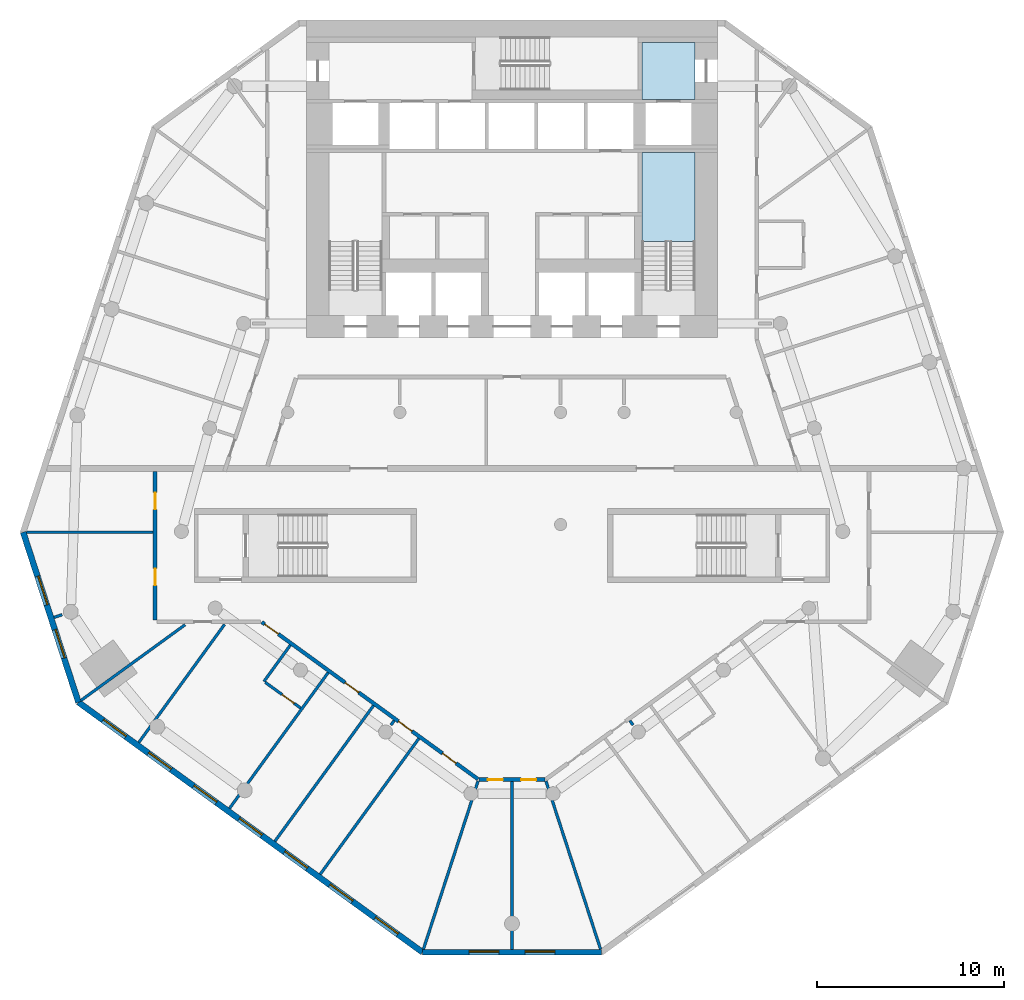
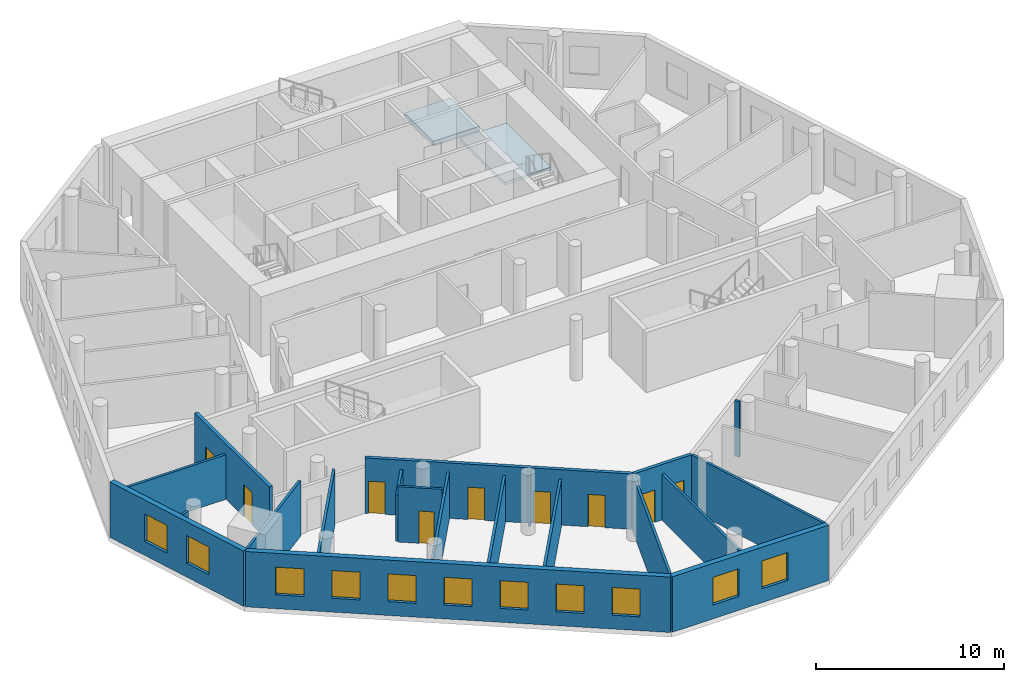
# One storey, part 2 of 9: 20 walls, 11 windows, 9 doors, 2 slabs, 20 openings, 1 element without a shape of its own.
"""IFC4 building model written with IfcOpenShell, lengths in metres."""

import ifcopenshell
import ifcopenshell.guid

model = None  # the IFC model being written
_history = None  # IfcOwnerHistory: only IFC2X3 demands one
_inside = {}  # id of a spatial element -> (the spatial element, [elements in it])
_under = {}  # id of a project, library or spatial element -> (it, [spatial elements below it])
_declared = {}  # id of a project -> (the project, [libraries it declares])
_typed = {}  # id of a type object -> (the type object, [elements of that type])
_made_of = {}  # id of a material, layer set ... -> (it, [elements and type objects made of it])


def new_model(schema):
    """Start an empty IFC model of exactly this schema.

    Asked for "IFC4X3", IfcOpenShell would pick the latest addendum, in which some entities
    have other attributes; the version numbers below select the first issue.
    IFC2X3 requires an IfcOwnerHistory on every rooted entity: one is made here for all.
    """
    global model, _history
    if schema == "IFC4X3":
        model = ifcopenshell.file(schema_version=(4, 3, 0, 0))
    else:
        model = ifcopenshell.file(schema=schema)
    _inside.clear()
    _under.clear()
    _declared.clear()
    _typed.clear()
    _made_of.clear()
    _history = None
    if model.schema == "IFC2X3":
        org = make("IfcOrganization", Name="unknown")
        user = make(
            "IfcPersonAndOrganization",
            ThePerson=make("IfcPerson", FamilyName="unknown"),
            TheOrganization=org,
        )
        app = make(
            "IfcApplication",
            ApplicationDeveloper=org,
            Version="unknown",
            ApplicationFullName="unknown",
            ApplicationIdentifier="unknown",
        )
        _history = make(
            "IfcOwnerHistory",
            OwningUser=user,
            OwningApplication=app,
            ChangeAction="ADDED",
            CreationDate=0,
        )
    return model


def make(cls, **values):
    """One entity of the class cls with the attributes given. An attribute that is None is left unset."""
    return model.create_entity(
        cls, **{name: value for name, value in values.items() if value is not None}
    )


def rooted(cls, **values):
    """An entity with a GlobalId (a new one), such as an element, a storey or a relation."""
    return make(cls, GlobalId=ifcopenshell.guid.new(), OwnerHistory=_history, **values)


def si_unit(unit_type, name, prefix=None):
    """IfcSIUnit, for example si_unit("LENGTHUNIT", "METRE", prefix="MILLI")."""
    return make("IfcSIUnit", UnitType=unit_type, Prefix=prefix, Name=name)


def assignment(units):
    """IfcUnitAssignment: the units of a project."""
    return None if units is None else make("IfcUnitAssignment", Units=units)


def point(xyz):
    """IfcCartesianPoint."""
    return None if xyz is None else make("IfcCartesianPoint", Coordinates=xyz)


def direction(xyz):
    """IfcDirection."""
    return None if xyz is None else make("IfcDirection", DirectionRatios=xyz)


def frame(location, z_axis=None, x_axis=None):
    """IfcAxis2Placement3D, a coordinate frame: its origin and axes. An axis left out is left unset."""
    return make(
        "IfcAxis2Placement3D",
        Location=point(location),
        Axis=direction(z_axis),
        RefDirection=direction(x_axis),
    )


def frame_2d(location, x_axis=None):
    """IfcAxis2Placement2D, a coordinate frame in the plane: its origin and x axis."""
    return make(
        "IfcAxis2Placement2D", Location=point(location), RefDirection=direction(x_axis)
    )


def origin():
    """The frame at (0, 0, 0) with its axes left unset."""
    return frame((0.0, 0.0, 0.0))


def place(relative_to, where):
    """IfcLocalPlacement: puts the frame where relative to a parent placement (None: the world)."""
    return make(
        "IfcLocalPlacement", PlacementRelTo=relative_to, RelativePlacement=where
    )


def context(
    kind, dimensions, precision=None, world=None, true_north=None, identifier=None
):
    """IfcGeometricRepresentationContext, for example the 3D "Model" context."""
    return make(
        "IfcGeometricRepresentationContext",
        ContextIdentifier=identifier,
        ContextType=kind,
        CoordinateSpaceDimension=dimensions,
        Precision=precision,
        WorldCoordinateSystem=world,
        TrueNorth=true_north,
    )


def subcontext(parent, identifier, kind, view, scale=None):
    """IfcGeometricRepresentationSubContext, for example "Body" below "Model"."""
    return make(
        "IfcGeometricRepresentationSubContext",
        ContextIdentifier=identifier,
        ContextType=kind,
        ParentContext=parent,
        TargetScale=scale,
        TargetView=view,
    )


def project(units=None, contexts=None):
    """IfcProject with its units and contexts."""
    return rooted(
        "IfcProject",
        Name="project",
        RepresentationContexts=contexts,
        UnitsInContext=assignment(units),
    )


def spatial(cls, under=None, at=None, **own):
    """A site, building, storey or space (cls), placed at a placement, below another one or the project."""
    s = rooted(cls, ObjectPlacement=at, **own)
    if under is not None:
        _under.setdefault(under.id(), (under, []))[1].append(s)
    return s


def polyline(points):
    """IfcPolyline through the points."""
    return make("IfcPolyline", Points=[point(p) for p in points])


def profile(cls, at=None, kind="AREA", **sizes):
    """A parametric profile (cls). Its sizes go by their IFC names, for example OverallWidth=200.0."""
    return make(cls, ProfileType=kind, Position=at, **sizes)


def rectangle(**sizes):
    """IfcRectangleProfileDef."""
    return profile("IfcRectangleProfileDef", **sizes)


def outline(outer, holes=None, kind="AREA"):
    """IfcArbitraryClosedProfileDef: a profile drawn as a closed curve; with holes, ...WithVoids."""
    if holes is None:
        return make("IfcArbitraryClosedProfileDef", ProfileType=kind, OuterCurve=outer)
    return make(
        "IfcArbitraryProfileDefWithVoids",
        ProfileType=kind,
        OuterCurve=outer,
        InnerCurves=holes,
    )


def extrude(swept, where, along, depth):
    """IfcExtrudedAreaSolid: the profile swept, set in the frame where, extruded along a direction by depth."""
    return make(
        "IfcExtrudedAreaSolid",
        SweptArea=swept,
        Position=where,
        ExtrudedDirection=direction(along),
        Depth=depth,
    )


def shape(context_of_items, identifier, shape_type, items):
    """IfcShapeRepresentation: the items that make up one representation, for example the "Body"."""
    return make(
        "IfcShapeRepresentation",
        ContextOfItems=context_of_items,
        RepresentationIdentifier=identifier,
        RepresentationType=shape_type,
        Items=items,
    )


def material(Name=None, Category=None):
    """IfcMaterial."""
    return make("IfcMaterial", Name=Name, Category=Category)


def layer(
    of_material, thickness, ventilated=None, Name=None, Category=None, Priority=None
):
    """IfcMaterialLayer: one layer of a wall or slab, of a material (None: an air gap)."""
    return make(
        "IfcMaterialLayer",
        Material=of_material,
        LayerThickness=thickness,
        IsVentilated=ventilated,
        Name=Name,
        Category=Category,
        Priority=Priority,
    )


def layer_set(layers, Name=None):
    """IfcMaterialLayerSet."""
    return make("IfcMaterialLayerSet", MaterialLayers=layers, LayerSetName=Name)


def made_of(thing, what):
    """Note that an element or type object is made of a material, layer set ...; save() writes the relation."""
    if what is not None:
        _made_of.setdefault(what.id(), (what, []))[1].append(thing)
    return thing


def type_object(cls, material=None, **own):
    """A type object (cls), such as IfcWallType, which elements share."""
    return made_of(rooted(cls, **own), material)


def element(
    cls,
    number,
    at=None,
    inside=None,
    cuts=None,
    type_object=None,
    material=None,
    context=None,
    identifier="Body",
    shape_type=None,
    held_by="IfcProductDefinitionShape",
    body=None,
    shapes=None,
    **own,
):
    """One element of the class cls, such as IfcWall. Its Tag is "e" and its number.

    at: its placement. inside: the storey or other place that contains it. cuts: it is an
    opening in that element (IfcRelVoidsElement). A single representation is given by context,
    identifier, shape_type and body (its items); several are given by shapes. held_by: the class
    of the entity that holds the representations. save() writes the other relations.
    """
    e = rooted(cls, Tag="e%d" % number, ObjectPlacement=at, **own)
    if body is not None:
        shapes = [shape(context, identifier, shape_type, body)]
    if shapes is not None:
        e.Representation = make(held_by, Representations=shapes)
    if inside is not None:
        _inside.setdefault(inside.id(), (inside, []))[1].append(e)
    if cuts is not None:
        rooted(
            "IfcRelVoidsElement", RelatingBuildingElement=cuts, RelatedOpeningElement=e
        )
    if type_object is not None:
        _typed.setdefault(type_object.id(), (type_object, []))[1].append(e)
    return made_of(e, material)


def fill(opening, filler):
    """IfcRelFillsElement: the door or window that sits in an opening."""
    return rooted(
        "IfcRelFillsElement",
        RelatingOpeningElement=opening,
        RelatedBuildingElement=filler,
    )


def aggregate(whole, parts):
    """IfcRelAggregates: a whole, such as a stair, and the parts it consists of."""
    return rooted("IfcRelAggregates", RelatingObject=whole, RelatedObjects=parts)


def save(model, path):
    """Write the relations noted so far, then the file.

    IfcRelAggregates (storeys below a building ...), IfcRelContainedInSpatialStructure (elements
    in a storey), IfcRelDefinesByType, IfcRelAssociatesMaterial and IfcRelDeclares: one each for
    every whole, place, type object, material and project.
    """
    for whole, parts in _under.values():
        aggregate(whole, parts)
    for where, things in _inside.values():
        rooted(
            "IfcRelContainedInSpatialStructure",
            RelatedElements=things,
            RelatingStructure=where,
        )
    for kind, things in _typed.values():
        rooted("IfcRelDefinesByType", RelatedObjects=things, RelatingType=kind)
    for what, things in _made_of.values():
        rooted("IfcRelAssociatesMaterial", RelatedObjects=things, RelatingMaterial=what)
    for by, libraries in _declared.values():
        rooted("IfcRelDeclares", RelatingContext=by, RelatedDefinitions=libraries)
    model.write(path)


model = new_model("IFC4")

# Units and contexts
model_context = context("Model", 3, precision=1e-05, world=origin(), true_north=direction((0.0, 1.0)))
body_context = subcontext(model_context, "Body", "Model", "MODEL_VIEW")
ifc_project = project(units=[si_unit("LENGTHUNIT", "METRE"), si_unit("AREAUNIT", "SQUARE_METRE"), si_unit("VOLUMEUNIT", "CUBIC_METRE"), si_unit("PLANEANGLEUNIT", "RADIAN"), si_unit("MASSUNIT", "GRAM", prefix="KILO")], contexts=[model_context])

# Site, building, storey
site_placement = place(None, origin())
site = spatial("IfcSite", under=ifc_project, at=site_placement, CompositionType="ELEMENT")
building_placement = place(site_placement, origin())
building = spatial("IfcBuilding", under=site, at=building_placement, Name="White Candle Pilgrim Tower", CompositionType="ELEMENT")
storey_placement = place(building_placement, frame((0.0, 0.0, 46.800048828125)))
storey = spatial("IfcBuildingStorey", under=building, at=storey_placement, Name="L08", CompositionType="ELEMENT", Elevation=46.800048828125)

# Slab
ifc_material_1 = material(Name="Concrete C40/50", Category="concrete")
ifc_layer_1 = layer(ifc_material_1, 0.300048828125)
ifc_layer_set_1 = layer_set([ifc_layer_1], Name="Core floor slab 300 mm Concrete C40/50")
slab_type_1 = type_object("IfcSlabType", Name="Core floor slab 300 mm Concrete C40/50", PredefinedType="FLOOR", material=ifc_layer_set_1)
slab_1_placement = place(storey_placement, frame((0.0, 0.0, -0.300048828125)))
element("IfcSlab", 1, at=slab_1_placement, inside=storey, type_object=slab_type_1, Name="CF-L08-06", PredefinedType="FLOOR", context=body_context, shape_type="SweptSolid", body=[
    extrude(outline(polyline([(79.800048828125, 86.800048828125), (79.800048828125, 83.75), (76.949951171875, 83.75), (76.949951171875, 84.25), (76.949951171875, 86.800048828125), (79.800048828125, 86.800048828125)])), origin(), (0.0, 0.0, 1.0), 0.300048828125),
])

# Stair, slab
stair_type = type_object("IfcStairType", Name="Exit stair 2 flight width 1350 mm", PredefinedType="HALF_TURN_STAIR", material=ifc_material_1)
stair_placement = place(storey_placement, origin())
stair = element("IfcStair", 2, at=stair_placement, inside=storey, type_object=stair_type, Name="L08 stair 2", PredefinedType="NOTDEFINED")
ifc_layer_2 = layer(ifc_material_1, 0.199951171875)
ifc_layer_set_2 = layer_set([ifc_layer_2], Name="Stair landing Concrete C40/50")
slab_type_2 = type_object("IfcSlabType", Name="Stair landing Concrete C40/50", PredefinedType="LANDING", material=ifc_layer_set_2)
slab_2_placement = place(storey_placement, frame((0.0, 0.0, 1.75)))
slab_2 = element("IfcSlab", 3, at=slab_2_placement, type_object=slab_type_2, Name="ST2 landing 1", PredefinedType="LANDING", context=body_context, shape_type="SweptSolid", body=[
    extrude(outline(polyline([(79.802001953125, 76.14794921875), (76.947998046875, 76.14794921875), (76.947998046875, 80.902099609375), (79.802001953125, 80.902099609375), (79.802001953125, 76.14794921875)])), origin(), (0.0, 0.0, 1.0), 0.199951171875),
])
aggregate(stair, [slab_2])

# Wall, openings, doors
ifc_material_2 = material(Name="Gypsum board on steel studs", Category="steel")
ifc_layer_3 = layer(ifc_material_2, 0.199951171875)
ifc_layer_set_3 = layer_set([ifc_layer_3], Name="Corridor wall 200 mm EI 45")
wall_type_1 = type_object("IfcWallType", Name="Corridor wall 200 mm EI 45", PredefinedType="PARTITIONING", material=ifc_layer_set_3)
wall_1_placement = place(storey_placement, frame((71.7568359375, 47.354736328125, 0.0), z_axis=(0.0, 0.0, 1.0), x_axis=(-1.0, 0.0, 0.0)))
wall_1 = element("IfcWall", 4, at=wall_1_placement, inside=storey, type_object=wall_type_1, Name="WL-L08-P009", PredefinedType="PARTITIONING", context=body_context, shape_type="SweptSolid", body=[
    extrude(rectangle(XDim=3.513671875, YDim=0.199951171875, at=frame_2d((1.7568359375, 0.0))), origin(), (0.0, 0.0, 1.0), 3.599853515625),
])
opening_1_placement = place(wall_1_placement, frame((2.251708984375, 0.0, 0.0)))
opening_1 = element("IfcOpeningElement", 5, at=opening_1_placement, cuts=wall_1, Name="Opening T02-108", PredefinedType="OPENING", context=body_context, shape_type="SweptSolid", body=[
    extrude(rectangle(XDim=0.800048828125, YDim=2.10009765625, at=frame_2d((0.39990234375, 1.050048828125))), frame((0.0, 0.10986328125, 0.0), z_axis=(0.0, -1.0, 0.0), x_axis=(1.0, 0.0, 0.0)), (0.0, 0.0, 1.0), 0.219970703125),
])
opening_2_placement = place(wall_1_placement, frame((0.462158203125, 0.0, 0.0)))
opening_2 = element("IfcOpeningElement", 6, at=opening_2_placement, cuts=wall_1, Name="Opening T02-109", PredefinedType="OPENING", context=body_context, shape_type="SweptSolid", body=[
    extrude(rectangle(XDim=0.800048828125, YDim=2.10009765625, at=frame_2d((0.39990234375, 1.050048828125))), frame((0.0, 0.10986328125, 0.0), z_axis=(0.0, -1.0, 0.0), x_axis=(1.0, 0.0, 0.0)), (0.0, 0.0, 1.0), 0.219970703125),
])
ifc_material_3 = material(Name="Steel door leaf", Category="steel")
door_type_1 = type_object("IfcDoorType", Name="Fire door 800 x 2100 EI 30", OperationType="NOTDEFINED", PredefinedType="DOOR", material=ifc_material_3)
door_1_placement = place(opening_1_placement, origin())
door_1 = element("IfcDoor", 7, at=door_1_placement, inside=storey, type_object=door_type_1, Name="Door T02-108", OperationType="SINGLE_SWING_RIGHT", OverallHeight=2.10009765625, OverallWidth=0.800048828125, PredefinedType="DOOR", context=body_context, shape_type="SweptSolid", body=[
    extrude(rectangle(XDim=0.800048828125, YDim=2.10009765625, at=frame_2d((0.39990234375, 1.050048828125))), frame((0.0, 0.02490234375, 0.0), z_axis=(0.0, -1.0, 0.0), x_axis=(1.0, 0.0, 0.0)), (0.0, 0.0, 1.0), 0.050048828125),
])
fill(opening_1, door_1)
door_2_placement = place(opening_2_placement, origin())
door_2 = element("IfcDoor", 8, at=door_2_placement, inside=storey, type_object=door_type_1, Name="Door T02-109", OperationType="SINGLE_SWING_LEFT", OverallHeight=2.10009765625, OverallWidth=0.800048828125, PredefinedType="DOOR", context=body_context, shape_type="SweptSolid", body=[
    extrude(rectangle(XDim=0.800048828125, YDim=2.10009765625, at=frame_2d((0.39990234375, 1.050048828125))), frame((0.0, 0.02490234375, 0.0), z_axis=(0.0, -1.0, 0.0), x_axis=(1.0, 0.0, 0.0)), (0.0, 0.0, 1.0), 0.050048828125),
])
fill(opening_2, door_2)

wall_2_placement = place(storey_placement, frame((68.184326171875, 47.373779296875, 0.0), z_axis=(0.0, 0.0, 1.0), x_axis=(-0.809010579214, 0.587794081902, 0.0)))
wall_2 = element("IfcWall", 9, at=wall_2_placement, inside=storey, type_object=wall_type_1, Name="WL-L08-P010", PredefinedType="PARTITIONING", context=body_context, shape_type="SweptSolid", body=[
    extrude(rectangle(XDim=14.302978515625, YDim=0.199951171875, at=frame_2d((7.1513671875, 0.0))), origin(), (0.0, 0.0, 1.0), 3.599853515625),
])
opening_3_placement = place(wall_2_placement, frame((13.215576171875, 0.0, 0.0)))
opening_3 = element("IfcOpeningElement", 10, at=opening_3_placement, cuts=wall_2, Name="Opening T02-104", PredefinedType="OPENING", context=body_context, shape_type="SweptSolid", body=[
    extrude(rectangle(XDim=0.89990234375, YDim=2.10009765625, at=frame_2d((0.449951171875, 1.050048828125))), frame((0.0, 0.10986328125, 0.0), z_axis=(0.0, -1.0, 0.0), x_axis=(1.0, 0.0, 0.0)), (0.0, 0.0, 1.0), 0.219970703125),
])
opening_4_placement = place(wall_2_placement, frame((7.8935546875, 0.0, 0.0)))
opening_4 = element("IfcOpeningElement", 11, at=opening_4_placement, cuts=wall_2, Name="Opening T02-105", PredefinedType="OPENING", context=body_context, shape_type="SweptSolid", body=[
    extrude(rectangle(XDim=0.89990234375, YDim=2.10009765625, at=frame_2d((0.449951171875, 1.050048828125))), frame((0.0, 0.10986328125, 0.0), z_axis=(0.0, -1.0, 0.0), x_axis=(1.0, 0.0, 0.0)), (0.0, 0.0, 1.0), 0.219970703125),
])
opening_5_placement = place(wall_2_placement, frame((4.36865234375, 0.0, 0.0)))
opening_5 = element("IfcOpeningElement", 12, at=opening_5_placement, cuts=wall_2, Name="Opening T02-106", PredefinedType="OPENING", context=body_context, shape_type="SweptSolid", body=[
    extrude(rectangle(XDim=0.89990234375, YDim=2.10009765625, at=frame_2d((0.449951171875, 1.050048828125))), frame((0.0, 0.10986328125, 0.0), z_axis=(0.0, -1.0, 0.0), x_axis=(1.0, 0.0, 0.0)), (0.0, 0.0, 1.0), 0.219970703125),
])
opening_6_placement = place(wall_2_placement, frame((1.45556640625, 0.0, 0.0)))
opening_6 = element("IfcOpeningElement", 13, at=opening_6_placement, cuts=wall_2, Name="Opening T02-107", PredefinedType="OPENING", context=body_context, shape_type="SweptSolid", body=[
    extrude(rectangle(XDim=0.89990234375, YDim=2.10009765625, at=frame_2d((0.449951171875, 1.050048828125))), frame((0.0, 0.10986328125, 0.0), z_axis=(0.0, -1.0, 0.0), x_axis=(1.0, 0.0, 0.0)), (0.0, 0.0, 1.0), 0.219970703125),
])
door_type_2 = type_object("IfcDoorType", Name="Fire door 900 x 2100 EI 30", OperationType="NOTDEFINED", PredefinedType="DOOR", material=ifc_material_3)
door_3_placement = place(opening_3_placement, origin())
door_3 = element("IfcDoor", 14, at=door_3_placement, inside=storey, type_object=door_type_2, Name="Door T02-104", OperationType="SINGLE_SWING_RIGHT", OverallHeight=2.10009765625, OverallWidth=0.89990234375, PredefinedType="DOOR", context=body_context, shape_type="SweptSolid", body=[
    extrude(rectangle(XDim=0.89990234375, YDim=2.10009765625, at=frame_2d((0.449951171875, 1.050048828125))), frame((0.0, 0.02490234375, 0.0), z_axis=(0.0, -1.0, 0.0), x_axis=(1.0, 0.0, 0.0)), (0.0, 0.0, 1.0), 0.050048828125),
])
fill(opening_3, door_3)
door_4_placement = place(opening_4_placement, origin())
door_4 = element("IfcDoor", 15, at=door_4_placement, inside=storey, type_object=door_type_2, Name="Door T02-105", OperationType="SINGLE_SWING_LEFT", OverallHeight=2.10009765625, OverallWidth=0.89990234375, PredefinedType="DOOR", context=body_context, shape_type="SweptSolid", body=[
    extrude(rectangle(XDim=0.89990234375, YDim=2.10009765625, at=frame_2d((0.449951171875, 1.050048828125))), frame((0.0, 0.02490234375, 0.0), z_axis=(0.0, -1.0, 0.0), x_axis=(1.0, 0.0, 0.0)), (0.0, 0.0, 1.0), 0.050048828125),
])
fill(opening_4, door_4)
door_5_placement = place(opening_5_placement, origin())
door_5 = element("IfcDoor", 16, at=door_5_placement, inside=storey, type_object=door_type_2, Name="Door T02-106", OperationType="SINGLE_SWING_LEFT", OverallHeight=2.10009765625, OverallWidth=0.89990234375, PredefinedType="DOOR", context=body_context, shape_type="SweptSolid", body=[
    extrude(rectangle(XDim=0.89990234375, YDim=2.10009765625, at=frame_2d((0.449951171875, 1.050048828125))), frame((0.0, 0.02490234375, 0.0), z_axis=(0.0, -1.0, 0.0), x_axis=(1.0, 0.0, 0.0)), (0.0, 0.0, 1.0), 0.050048828125),
])
fill(opening_5, door_5)
door_6_placement = place(opening_6_placement, origin())
door_6 = element("IfcDoor", 17, at=door_6_placement, inside=storey, type_object=door_type_2, Name="Door T02-107", OperationType="SINGLE_SWING_LEFT", OverallHeight=2.10009765625, OverallWidth=0.89990234375, PredefinedType="DOOR", context=body_context, shape_type="SweptSolid", body=[
    extrude(rectangle(XDim=0.89990234375, YDim=2.10009765625, at=frame_2d((0.449951171875, 1.050048828125))), frame((0.0, 0.02490234375, 0.0), z_axis=(0.0, -1.0, 0.0), x_axis=(1.0, 0.0, 0.0)), (0.0, 0.0, 1.0), 0.050048828125),
])
fill(opening_6, door_6)

wall_3_placement = place(storey_placement, frame((50.89990234375, 55.89990234375, 0.0), z_axis=(0.0, 0.0, 1.0), x_axis=(0.0, 1.0, 0.0)))
wall_3 = element("IfcWall", 18, at=wall_3_placement, inside=storey, type_object=wall_type_1, Name="WL-L08-P012", PredefinedType="PARTITIONING", context=body_context, shape_type="SweptSolid", body=[
    extrude(rectangle(XDim=7.9501953125, YDim=0.199951171875, at=frame_2d((3.97509765625, 0.0))), origin(), (0.0, 0.0, 1.0), 3.599853515625),
])
opening_7_placement = place(wall_3_placement, frame((1.845703125, 0.0, 0.0)))
opening_7 = element("IfcOpeningElement", 19, at=opening_7_placement, cuts=wall_3, Name="Opening T02-101", PredefinedType="OPENING", context=body_context, shape_type="SweptSolid", body=[
    extrude(rectangle(XDim=0.89990234375, YDim=2.10009765625, at=frame_2d((0.449951171875, 1.050048828125))), frame((0.0, 0.10986328125, 0.0), z_axis=(0.0, -1.0, 0.0), x_axis=(1.0, 0.0, 0.0)), (0.0, 0.0, 1.0), 0.219970703125),
])
opening_8_placement = place(wall_3_placement, frame((5.908203125, 0.0, 0.0)))
opening_8 = element("IfcOpeningElement", 20, at=opening_8_placement, cuts=wall_3, Name="Opening T02-119", PredefinedType="OPENING", context=body_context, shape_type="SweptSolid", body=[
    extrude(rectangle(XDim=0.89990234375, YDim=2.10009765625, at=frame_2d((0.449951171875, 1.050048828125))), frame((0.0, 0.10986328125, 0.0), z_axis=(0.0, -1.0, 0.0), x_axis=(1.0, 0.0, 0.0)), (0.0, 0.0, 1.0), 0.219970703125),
])
door_7_placement = place(opening_7_placement, origin())
door_7 = element("IfcDoor", 21, at=door_7_placement, inside=storey, type_object=door_type_2, Name="Door T02-101", OperationType="SINGLE_SWING_LEFT", OverallHeight=2.10009765625, OverallWidth=0.89990234375, PredefinedType="DOOR", context=body_context, shape_type="SweptSolid", body=[
    extrude(rectangle(XDim=0.89990234375, YDim=2.10009765625, at=frame_2d((0.449951171875, 1.050048828125))), frame((0.0, 0.02490234375, 0.0), z_axis=(0.0, -1.0, 0.0), x_axis=(1.0, 0.0, 0.0)), (0.0, 0.0, 1.0), 0.050048828125),
])
fill(opening_7, door_7)
door_8_placement = place(opening_8_placement, origin())
door_8 = element("IfcDoor", 22, at=door_8_placement, inside=storey, type_object=door_type_2, Name="Door T02-119", OperationType="SINGLE_SWING_LEFT", OverallHeight=2.10009765625, OverallWidth=0.89990234375, PredefinedType="DOOR", context=body_context, shape_type="SweptSolid", body=[
    extrude(rectangle(XDim=0.89990234375, YDim=2.10009765625, at=frame_2d((0.449951171875, 1.050048828125))), frame((0.0, 0.02490234375, 0.0), z_axis=(0.0, -1.0, 0.0), x_axis=(1.0, 0.0, 0.0)), (0.0, 0.0, 1.0), 0.050048828125),
])
fill(opening_8, door_8)

# Wall, openings, windows
ifc_material_4 = material(Name="Precast concrete C40/50", Category="concrete")
ifc_layer_4 = layer(ifc_material_4, 0.320068359375)
ifc_layer_set_4 = layer_set([ifc_layer_4], Name="Facade wall EW1 precast concrete C40/50 pier wall with timber-lined reveals")
wall_type_2 = type_object("IfcWallType", Name="Facade wall EW1 precast concrete C40/50 pier wall with timber-lined reveals", PredefinedType="SOLIDWALL", material=ifc_layer_set_4)
wall_4_placement = place(storey_placement, frame((43.8408203125, 60.59130859375, 0.0), z_axis=(0.0, 0.0, 1.0), x_axis=(0.309023765379, -0.951054316236, 0.0)))
wall_4 = element("IfcWall", 23, at=wall_4_placement, inside=storey, type_object=wall_type_2, Name="Facade wall L08 W chamfer", PredefinedType="SOLIDWALL", context=body_context, shape_type="SweptSolid", body=[
    extrude(rectangle(XDim=9.56884765625, YDim=0.320068359375, at=frame_2d((4.784423828125, 0.0))), origin(), (0.0, 0.0, 1.0), 3.599853515625),
])
opening_9_placement = place(wall_4_placement, frame((2.484375, 0.0, 0.89990234375)))
opening_9 = element("IfcOpeningElement", 24, at=opening_9_placement, cuts=wall_4, Name="Opening W2", PredefinedType="OPENING", context=body_context, shape_type="SweptSolid", body=[
    extrude(rectangle(XDim=1.60009765625, YDim=1.800048828125, at=frame_2d((0.800048828125, 0.89990234375))), frame((0.0, 0.169921875, 0.0), z_axis=(0.0, -1.0, 0.0), x_axis=(1.0, 0.0, 0.0)), (0.0, 0.0, 1.0), 0.340087890625),
])
opening_10_placement = place(wall_4_placement, frame((5.484375, 0.0, 0.89990234375)))
opening_10 = element("IfcOpeningElement", 25, at=opening_10_placement, cuts=wall_4, Name="Opening W2", PredefinedType="OPENING", context=body_context, shape_type="SweptSolid", body=[
    extrude(rectangle(XDim=1.60009765625, YDim=1.800048828125, at=frame_2d((0.800048828125, 0.89990234375))), frame((0.0, 0.169921875, 0.0), z_axis=(0.0, -1.0, 0.0), x_axis=(1.0, 0.0, 0.0)), (0.0, 0.0, 1.0), 0.340087890625),
])
ifc_material_5 = material(Name="Timber frame with triple glazing", Category="wood")
window_type_1 = type_object("IfcWindowType", Name="Window W2 1600x1800 timber frame triple glazing", PartitioningType="SINGLE_PANEL", PredefinedType="WINDOW", material=ifc_material_5)
window_1_placement = place(opening_9_placement, origin())
window_1 = element("IfcWindow", 26, at=window_1_placement, inside=storey, type_object=window_type_1, Name="Window W2 L08 W chamfer 1", OverallHeight=1.800048828125, OverallWidth=1.60009765625, PartitioningType="SINGLE_PANEL", PredefinedType="WINDOW", context=body_context, shape_type="SweptSolid", body=[
    extrude(rectangle(XDim=1.60009765625, YDim=1.800048828125, at=frame_2d((0.800048828125, 0.89990234375))), frame((0.0, 0.070068359375, 0.0), z_axis=(0.0, -1.0, 0.0), x_axis=(1.0, 0.0, 0.0)), (0.0, 0.0, 1.0), 0.06005859375),
])
fill(opening_9, window_1)
window_2_placement = place(opening_10_placement, origin())
window_2 = element("IfcWindow", 27, at=window_2_placement, inside=storey, type_object=window_type_1, Name="Window W2 L08 W chamfer 2", OverallHeight=1.800048828125, OverallWidth=1.60009765625, PartitioningType="SINGLE_PANEL", PredefinedType="WINDOW", context=body_context, shape_type="SweptSolid", body=[
    extrude(rectangle(XDim=1.60009765625, YDim=1.800048828125, at=frame_2d((0.800048828125, 0.89990234375))), frame((0.0, 0.070068359375, 0.0), z_axis=(0.0, -1.0, 0.0), x_axis=(1.0, 0.0, 0.0)), (0.0, 0.0, 1.0), 0.06005859375),
])
fill(opening_10, window_2)

wall_5_placement = place(storey_placement, frame((46.7978515625, 51.49072265625, 0.0), z_axis=(0.0, 0.0, 1.0), x_axis=(0.80901991267, -0.587781235583, 0.0)))
wall_5 = element("IfcWall", 28, at=wall_5_placement, inside=storey, type_object=wall_type_2, Name="Facade wall L08 SW", PredefinedType="SOLIDWALL", context=body_context, shape_type="SweptSolid", body=[
    extrude(rectangle(XDim=22.7568359375, YDim=0.320068359375, at=frame_2d((11.37841796875, 0.0))), origin(), (0.0, 0.0, 1.0), 3.599853515625),
])
opening_11_placement = place(wall_5_placement, frame((1.62841796875, 0.0, 0.89990234375)))
opening_11 = element("IfcOpeningElement", 29, at=opening_11_placement, cuts=wall_5, Name="Opening W1", PredefinedType="OPENING", context=body_context, shape_type="SweptSolid", body=[
    extrude(rectangle(XDim=1.5, YDim=1.800048828125, at=frame_2d((0.75, 0.89990234375))), frame((0.0, 0.169921875, 0.0), z_axis=(0.0, -1.0, 0.0), x_axis=(1.0, 0.0, 0.0)), (0.0, 0.0, 1.0), 0.340087890625),
])
opening_12_placement = place(wall_5_placement, frame((4.62841796875, 0.0, 0.89990234375)))
opening_12 = element("IfcOpeningElement", 30, at=opening_12_placement, cuts=wall_5, Name="Opening W1", PredefinedType="OPENING", context=body_context, shape_type="SweptSolid", body=[
    extrude(rectangle(XDim=1.5, YDim=1.800048828125, at=frame_2d((0.75, 0.89990234375))), frame((0.0, 0.169921875, 0.0), z_axis=(0.0, -1.0, 0.0), x_axis=(1.0, 0.0, 0.0)), (0.0, 0.0, 1.0), 0.340087890625),
])
opening_13_placement = place(wall_5_placement, frame((7.62841796875, 0.0, 0.89990234375)))
opening_13 = element("IfcOpeningElement", 31, at=opening_13_placement, cuts=wall_5, Name="Opening W1", PredefinedType="OPENING", context=body_context, shape_type="SweptSolid", body=[
    extrude(rectangle(XDim=1.5, YDim=1.800048828125, at=frame_2d((0.75, 0.89990234375))), frame((0.0, 0.169921875, 0.0), z_axis=(0.0, -1.0, 0.0), x_axis=(1.0, 0.0, 0.0)), (0.0, 0.0, 1.0), 0.340087890625),
])
opening_14_placement = place(wall_5_placement, frame((10.62841796875, 0.0, 0.89990234375)))
opening_14 = element("IfcOpeningElement", 32, at=opening_14_placement, cuts=wall_5, Name="Opening W1", PredefinedType="OPENING", context=body_context, shape_type="SweptSolid", body=[
    extrude(rectangle(XDim=1.5, YDim=1.800048828125, at=frame_2d((0.75, 0.89990234375))), frame((0.0, 0.169921875, 0.0), z_axis=(0.0, -1.0, 0.0), x_axis=(1.0, 0.0, 0.0)), (0.0, 0.0, 1.0), 0.340087890625),
])
opening_15_placement = place(wall_5_placement, frame((13.62841796875, 0.0, 0.89990234375)))
opening_15 = element("IfcOpeningElement", 33, at=opening_15_placement, cuts=wall_5, Name="Opening W1", PredefinedType="OPENING", context=body_context, shape_type="SweptSolid", body=[
    extrude(rectangle(XDim=1.5, YDim=1.800048828125, at=frame_2d((0.75, 0.89990234375))), frame((0.0, 0.169921875, 0.0), z_axis=(0.0, -1.0, 0.0), x_axis=(1.0, 0.0, 0.0)), (0.0, 0.0, 1.0), 0.340087890625),
])
opening_16_placement = place(wall_5_placement, frame((16.62841796875, 0.0, 0.89990234375)))
opening_16 = element("IfcOpeningElement", 34, at=opening_16_placement, cuts=wall_5, Name="Opening W1", PredefinedType="OPENING", context=body_context, shape_type="SweptSolid", body=[
    extrude(rectangle(XDim=1.5, YDim=1.800048828125, at=frame_2d((0.75, 0.89990234375))), frame((0.0, 0.169921875, 0.0), z_axis=(0.0, -1.0, 0.0), x_axis=(1.0, 0.0, 0.0)), (0.0, 0.0, 1.0), 0.340087890625),
])
opening_17_placement = place(wall_5_placement, frame((19.62841796875, 0.0, 0.89990234375)))
opening_17 = element("IfcOpeningElement", 35, at=opening_17_placement, cuts=wall_5, Name="Opening W1", PredefinedType="OPENING", context=body_context, shape_type="SweptSolid", body=[
    extrude(rectangle(XDim=1.5, YDim=1.800048828125, at=frame_2d((0.75, 0.89990234375))), frame((0.0, 0.169921875, 0.0), z_axis=(0.0, -1.0, 0.0), x_axis=(1.0, 0.0, 0.0)), (0.0, 0.0, 1.0), 0.340087890625),
])
window_type_2 = type_object("IfcWindowType", Name="Window W1 1500x1800 timber frame triple glazing", PartitioningType="SINGLE_PANEL", PredefinedType="WINDOW", material=ifc_material_5)
window_3_placement = place(opening_11_placement, origin())
window_3 = element("IfcWindow", 36, at=window_3_placement, inside=storey, type_object=window_type_2, Name="Window W1 L08 SW 1", OverallHeight=1.800048828125, OverallWidth=1.5, PartitioningType="SINGLE_PANEL", PredefinedType="WINDOW", context=body_context, shape_type="SweptSolid", body=[
    extrude(rectangle(XDim=1.5, YDim=1.800048828125, at=frame_2d((0.75, 0.89990234375))), frame((0.0, 0.070068359375, 0.0), z_axis=(0.0, -1.0, 0.0), x_axis=(1.0, 0.0, 0.0)), (0.0, 0.0, 1.0), 0.06005859375),
])
fill(opening_11, window_3)
window_4_placement = place(opening_12_placement, origin())
window_4 = element("IfcWindow", 37, at=window_4_placement, inside=storey, type_object=window_type_2, Name="Window W1 L08 SW 2", OverallHeight=1.800048828125, OverallWidth=1.5, PartitioningType="SINGLE_PANEL", PredefinedType="WINDOW", context=body_context, shape_type="SweptSolid", body=[
    extrude(rectangle(XDim=1.5, YDim=1.800048828125, at=frame_2d((0.75, 0.89990234375))), frame((0.0, 0.070068359375, 0.0), z_axis=(0.0, -1.0, 0.0), x_axis=(1.0, 0.0, 0.0)), (0.0, 0.0, 1.0), 0.06005859375),
])
fill(opening_12, window_4)
window_5_placement = place(opening_13_placement, origin())
window_5 = element("IfcWindow", 38, at=window_5_placement, inside=storey, type_object=window_type_2, Name="Window W1 L08 SW 3", OverallHeight=1.800048828125, OverallWidth=1.5, PartitioningType="SINGLE_PANEL", PredefinedType="WINDOW", context=body_context, shape_type="SweptSolid", body=[
    extrude(rectangle(XDim=1.5, YDim=1.800048828125, at=frame_2d((0.75, 0.89990234375))), frame((0.0, 0.070068359375, 0.0), z_axis=(0.0, -1.0, 0.0), x_axis=(1.0, 0.0, 0.0)), (0.0, 0.0, 1.0), 0.06005859375),
])
fill(opening_13, window_5)
window_6_placement = place(opening_14_placement, origin())
window_6 = element("IfcWindow", 39, at=window_6_placement, inside=storey, type_object=window_type_2, Name="Window W1 L08 SW 4", OverallHeight=1.800048828125, OverallWidth=1.5, PartitioningType="SINGLE_PANEL", PredefinedType="WINDOW", context=body_context, shape_type="SweptSolid", body=[
    extrude(rectangle(XDim=1.5, YDim=1.800048828125, at=frame_2d((0.75, 0.89990234375))), frame((0.0, 0.070068359375, 0.0), z_axis=(0.0, -1.0, 0.0), x_axis=(1.0, 0.0, 0.0)), (0.0, 0.0, 1.0), 0.06005859375),
])
fill(opening_14, window_6)
window_7_placement = place(opening_15_placement, origin())
window_7 = element("IfcWindow", 40, at=window_7_placement, inside=storey, type_object=window_type_2, Name="Window W1 L08 SW 5", OverallHeight=1.800048828125, OverallWidth=1.5, PartitioningType="SINGLE_PANEL", PredefinedType="WINDOW", context=body_context, shape_type="SweptSolid", body=[
    extrude(rectangle(XDim=1.5, YDim=1.800048828125, at=frame_2d((0.75, 0.89990234375))), frame((0.0, 0.070068359375, 0.0), z_axis=(0.0, -1.0, 0.0), x_axis=(1.0, 0.0, 0.0)), (0.0, 0.0, 1.0), 0.06005859375),
])
fill(opening_15, window_7)
window_8_placement = place(opening_16_placement, origin())
window_8 = element("IfcWindow", 41, at=window_8_placement, inside=storey, type_object=window_type_2, Name="Window W1 L08 SW 6", OverallHeight=1.800048828125, OverallWidth=1.5, PartitioningType="SINGLE_PANEL", PredefinedType="WINDOW", context=body_context, shape_type="SweptSolid", body=[
    extrude(rectangle(XDim=1.5, YDim=1.800048828125, at=frame_2d((0.75, 0.89990234375))), frame((0.0, 0.070068359375, 0.0), z_axis=(0.0, -1.0, 0.0), x_axis=(1.0, 0.0, 0.0)), (0.0, 0.0, 1.0), 0.06005859375),
])
fill(opening_16, window_8)
window_9_placement = place(opening_17_placement, origin())
window_9 = element("IfcWindow", 42, at=window_9_placement, inside=storey, type_object=window_type_2, Name="Window W1 L08 SW 7", OverallHeight=1.800048828125, OverallWidth=1.5, PartitioningType="SINGLE_PANEL", PredefinedType="WINDOW", context=body_context, shape_type="SweptSolid", body=[
    extrude(rectangle(XDim=1.5, YDim=1.800048828125, at=frame_2d((0.75, 0.89990234375))), frame((0.0, 0.070068359375, 0.0), z_axis=(0.0, -1.0, 0.0), x_axis=(1.0, 0.0, 0.0)), (0.0, 0.0, 1.0), 0.06005859375),
])
fill(opening_17, window_9)

wall_6_placement = place(storey_placement, frame((65.20849609375, 38.11474609375, 0.0), z_axis=(0.0, 0.0, 1.0), x_axis=(1.0, 0.0, 0.0)))
wall_6 = element("IfcWall", 43, at=wall_6_placement, inside=storey, type_object=wall_type_2, Name="Facade wall L08 S chamfer", PredefinedType="SOLIDWALL", context=body_context, shape_type="SweptSolid", body=[
    extrude(rectangle(XDim=9.5830078125, YDim=0.320068359375, at=frame_2d((4.79150390625, 0.0))), origin(), (0.0, 0.0, 1.0), 3.599853515625),
])
opening_18_placement = place(wall_6_placement, frame((2.49169921875, 0.0, 0.89990234375)))
opening_18 = element("IfcOpeningElement", 44, at=opening_18_placement, cuts=wall_6, Name="Opening W2", PredefinedType="OPENING", context=body_context, shape_type="SweptSolid", body=[
    extrude(rectangle(XDim=1.60009765625, YDim=1.800048828125, at=frame_2d((0.800048828125, 0.89990234375))), frame((0.0, 0.169921875, 0.0), z_axis=(0.0, -1.0, 0.0), x_axis=(1.0, 0.0, 0.0)), (0.0, 0.0, 1.0), 0.340087890625),
])
opening_19_placement = place(wall_6_placement, frame((5.49169921875, 0.0, 0.89990234375)))
opening_19 = element("IfcOpeningElement", 45, at=opening_19_placement, cuts=wall_6, Name="Opening W2", PredefinedType="OPENING", context=body_context, shape_type="SweptSolid", body=[
    extrude(rectangle(XDim=1.60009765625, YDim=1.800048828125, at=frame_2d((0.800048828125, 0.89990234375))), frame((0.0, 0.169921875, 0.0), z_axis=(0.0, -1.0, 0.0), x_axis=(1.0, 0.0, 0.0)), (0.0, 0.0, 1.0), 0.340087890625),
])
window_10_placement = place(opening_18_placement, origin())
window_10 = element("IfcWindow", 46, at=window_10_placement, inside=storey, type_object=window_type_1, Name="Window W2 L08 S chamfer 1", OverallHeight=1.800048828125, OverallWidth=1.60009765625, PartitioningType="SINGLE_PANEL", PredefinedType="WINDOW", context=body_context, shape_type="SweptSolid", body=[
    extrude(rectangle(XDim=1.60009765625, YDim=1.800048828125, at=frame_2d((0.800048828125, 0.89990234375))), frame((0.0, 0.070068359375, 0.0), z_axis=(0.0, -1.0, 0.0), x_axis=(1.0, 0.0, 0.0)), (0.0, 0.0, 1.0), 0.06005859375),
])
fill(opening_18, window_10)
window_11_placement = place(opening_19_placement, origin())
window_11 = element("IfcWindow", 47, at=window_11_placement, inside=storey, type_object=window_type_1, Name="Window W2 L08 S chamfer 2", OverallHeight=1.800048828125, OverallWidth=1.60009765625, PartitioningType="SINGLE_PANEL", PredefinedType="WINDOW", context=body_context, shape_type="SweptSolid", body=[
    extrude(rectangle(XDim=1.60009765625, YDim=1.800048828125, at=frame_2d((0.800048828125, 0.89990234375))), frame((0.0, 0.070068359375, 0.0), z_axis=(0.0, -1.0, 0.0), x_axis=(1.0, 0.0, 0.0)), (0.0, 0.0, 1.0), 0.06005859375),
])
fill(opening_19, window_11)

# Walls
ifc_layer_5 = layer(ifc_material_2, 0.14990234375)
ifc_layer_set_5 = layer_set([ifc_layer_5], Name="Partition 150 mm EI 60")
wall_type_3 = type_object("IfcWallType", Name="Partition 150 mm EI 60", PredefinedType="PARTITIONING", material=ifc_layer_set_5)
wall_7_placement = place(storey_placement, frame((44.00927734375, 60.59130859375, 0.0), z_axis=(0.0, 0.0, 1.0), x_axis=(1.0, 0.0, 0.0)))
element("IfcWall", 48, at=wall_7_placement, inside=storey, type_object=wall_type_3, Name="WL-L08-P017", PredefinedType="PARTITIONING", context=body_context, shape_type="SweptSolid", body=[
    extrude(rectangle(XDim=6.790771484375, YDim=0.14990234375, at=frame_2d((3.3955078125, 0.0))), origin(), (0.0, 0.0, 1.0), 2.89990234375),
])
wall_8_placement = place(storey_placement, frame((46.93408203125, 51.589599609375, 0.0), z_axis=(0.0, 0.0, 1.0), x_axis=(0.809011812166, 0.587792384925, 0.0)))
element("IfcWall", 49, at=wall_8_placement, inside=storey, type_object=wall_type_3, Name="WL-L08-P018", PredefinedType="PARTITIONING", context=body_context, shape_type="SweptSolid", body=[
    extrude(rectangle(XDim=6.889892578125, YDim=0.14990234375, at=frame_2d((3.44482421875, 0.0))), origin(), (0.0, 0.0, 1.0), 3.599853515625),
])
for number, where, z_axis, x_axis, name in (
    (50, (65.260498046875, 38.274658203125, 0.0), (0.0, 0.0, 1.0), (0.3090043917, 0.95106061106, 0.0), "WL-L08-P019"),
    (51, (74.739501953125, 38.274658203125, 0.0), (0.0, 0.0, 1.0), (-0.3090043917, 0.95106061106, 0.0), "WL-L08-P020"),
):
    element("IfcWall", number, at=place(storey_placement, frame(where, z_axis=z_axis, x_axis=x_axis)), inside=storey, type_object=wall_type_3, Name=name, PredefinedType="PARTITIONING", context=body_context, shape_type="SweptSolid", body=[
        extrude(rectangle(XDim=9.462158203125, YDim=0.14990234375, at=frame_2d((4.73095703125, 0.0))), origin(), (0.0, 0.0, 1.0), 3.599853515625),
    ])
wall_9_placement = place(storey_placement, frame((50.029541015625, 49.340576171875, 0.0), z_axis=(0.0, 0.0, 1.0), x_axis=(0.587781115061, 0.809020000234, 0.0)))
element("IfcWall", 52, at=wall_9_placement, inside=storey, type_object=wall_type_3, Name="WL-L08-P029", PredefinedType="PARTITIONING", context=body_context, shape_type="SweptSolid", body=[
    extrude(rectangle(XDim=7.80615234375, YDim=0.14990234375, at=frame_2d((3.903076171875, 0.0))), origin(), (0.0, 0.0, 1.0), 3.599853515625),
])
wall_10_placement = place(storey_placement, frame((54.8837890625, 45.813720703125, 0.0), z_axis=(0.0, 0.0, 1.0), x_axis=(0.587777199641, 0.809022844908, 0.0)))
element("IfcWall", 53, at=wall_10_placement, inside=storey, type_object=wall_type_3, Name="WL-L08-P030", PredefinedType="PARTITIONING", context=body_context, shape_type="SweptSolid", body=[
    extrude(rectangle(XDim=8.980224609375, YDim=0.14990234375, at=frame_2d((4.490234375, 0.0))), origin(), (0.0, 0.0, 1.0), 3.0),
])
for number, where, z_axis, x_axis, name in (
    (54, (57.310791015625, 44.050537109375, 0.0), (0.0, 0.0, 1.0), (0.587790127827, 0.809013452069, 0.0), "WL-L08-P031"),
    (55, (59.73779296875, 42.287109375, 0.0), (0.0, 0.0, 1.0), (0.587790127827, 0.809013452069, 0.0), "WL-L08-P032"),
):
    element("IfcWall", number, at=place(storey_placement, frame(where, z_axis=z_axis, x_axis=x_axis)), inside=storey, type_object=wall_type_3, Name=name, PredefinedType="PARTITIONING", context=body_context, shape_type="SweptSolid", body=[
        extrude(rectangle(XDim=8.97998046875, YDim=0.14990234375, at=frame_2d((4.489990234375, 0.0))), origin(), (0.0, 0.0, 1.0), 3.0),
    ])
wall_11_placement = place(storey_placement, frame((58.139404296875, 54.548095703125, 0.0), z_axis=(0.0, 0.0, 1.0), x_axis=(-0.587820796465, -0.808991168829, 0.0)))
element("IfcWall", 56, at=wall_11_placement, inside=storey, type_object=wall_type_3, Name="WL-L08-P033", PredefinedType="PARTITIONING", context=body_context, shape_type="SweptSolid", body=[
    extrude(rectangle(XDim=2.39990234375, YDim=0.14990234375, at=frame_2d((1.199951171875, 0.0))), origin(), (0.0, 0.0, 1.0), 3.0),
])

# Wall, opening, door
wall_12_placement = place(storey_placement, frame((58.690673828125, 51.18115234375, 0.0), z_axis=(0.0, 0.0, 1.0), x_axis=(-0.809032466197, 0.587763956567, 0.0)))
wall_12 = element("IfcWall", 57, at=wall_12_placement, inside=storey, type_object=wall_type_3, Name="WL-L08-P034", PredefinedType="PARTITIONING", context=body_context, shape_type="SweptSolid", body=[
    extrude(rectangle(XDim=2.35009765625, YDim=0.14990234375, at=frame_2d((1.175048828125, 0.0))), origin(), (0.0, 0.0, 1.0), 3.599853515625),
])
opening_20_placement = place(wall_12_placement, frame((0.425048828125, 0.0, 0.0)))
opening_20 = element("IfcOpeningElement", 58, at=opening_20_placement, cuts=wall_12, Name="Opening T02-103", PredefinedType="OPENING", context=body_context, shape_type="SweptSolid", body=[
    extrude(rectangle(XDim=0.800048828125, YDim=2.10009765625, at=frame_2d((0.39990234375, 1.050048828125))), frame((0.0, 0.0849609375, 0.0), z_axis=(0.0, -1.0, 0.0), x_axis=(1.0, 0.0, 0.0)), (0.0, 0.0, 1.0), 0.169921875),
])
door_9_placement = place(opening_20_placement, origin())
door_9 = element("IfcDoor", 59, at=door_9_placement, inside=storey, type_object=door_type_1, Name="Door T02-103", OperationType="SINGLE_SWING_LEFT", OverallHeight=2.10009765625, OverallWidth=0.800048828125, PredefinedType="DOOR", context=body_context, shape_type="SweptSolid", body=[
    extrude(rectangle(XDim=0.800048828125, YDim=2.10009765625, at=frame_2d((0.39990234375, 1.050048828125))), frame((0.0, 0.02490234375, 0.0), z_axis=(0.0, -1.0, 0.0), x_axis=(1.0, 0.0, 0.0)), (0.0, 0.0, 1.0), 0.050048828125),
])
fill(opening_20, door_9)

# Walls
wall_13_placement = place(storey_placement, frame((70.0, 38.274658203125, 0.0), z_axis=(0.0, 0.0, 1.0), x_axis=(0.0, 1.0, 0.0)))
element("IfcWall", 60, at=wall_13_placement, inside=storey, type_object=wall_type_3, Name="WL-L08-P035", PredefinedType="PARTITIONING", context=body_context, shape_type="SweptSolid", body=[
    extrude(rectangle(XDim=8.97998046875, YDim=0.14990234375, at=frame_2d((4.489990234375, 0.0))), origin(), (0.0, 0.0, 1.0), 3.0),
])
wall_14_placement = place(storey_placement, frame((45.92529296875, 56.1748046875, 0.0), z_axis=(0.0, 0.0, 1.0), x_axis=(-0.951108522522, -0.308856889815, 0.0)))
element("IfcWall", 61, at=wall_14_placement, inside=storey, type_object=wall_type_3, Name="WL-L08-P049", PredefinedType="PARTITIONING", context=body_context, shape_type="SweptSolid", body=[
    extrude(rectangle(XDim=0.457763671875, YDim=0.14990234375, at=frame_2d((0.22900390625, 0.0))), origin(), (0.0, 0.0, 1.0), 3.599853515625),
])
for number, where, z_axis, x_axis, name in (
    (62, (63.520751953125, 50.2705078125, 0.0), (0.0, 0.0, 1.0), (0.588122924679, 0.808771553324, 0.0), "WL-L08-P051"),
    (63, (76.479248046875, 50.2705078125, 0.0), (0.0, 0.0, 1.0), (-0.588122924679, 0.808771553324, 0.0), "WL-L08-P052"),
):
    element("IfcWall", number, at=place(storey_placement, frame(where, z_axis=z_axis, x_axis=x_axis)), inside=storey, type_object=wall_type_3, Name=name, PredefinedType="PARTITIONING", context=body_context, shape_type="SweptSolid", body=[
        extrude(rectangle(XDim=0.297607421875, YDim=0.14990234375, at=frame_2d((0.14892578125, 0.0))), origin(), (0.0, 0.0, 1.0), 3.599853515625),
    ])

save(model, "model.ifc")
